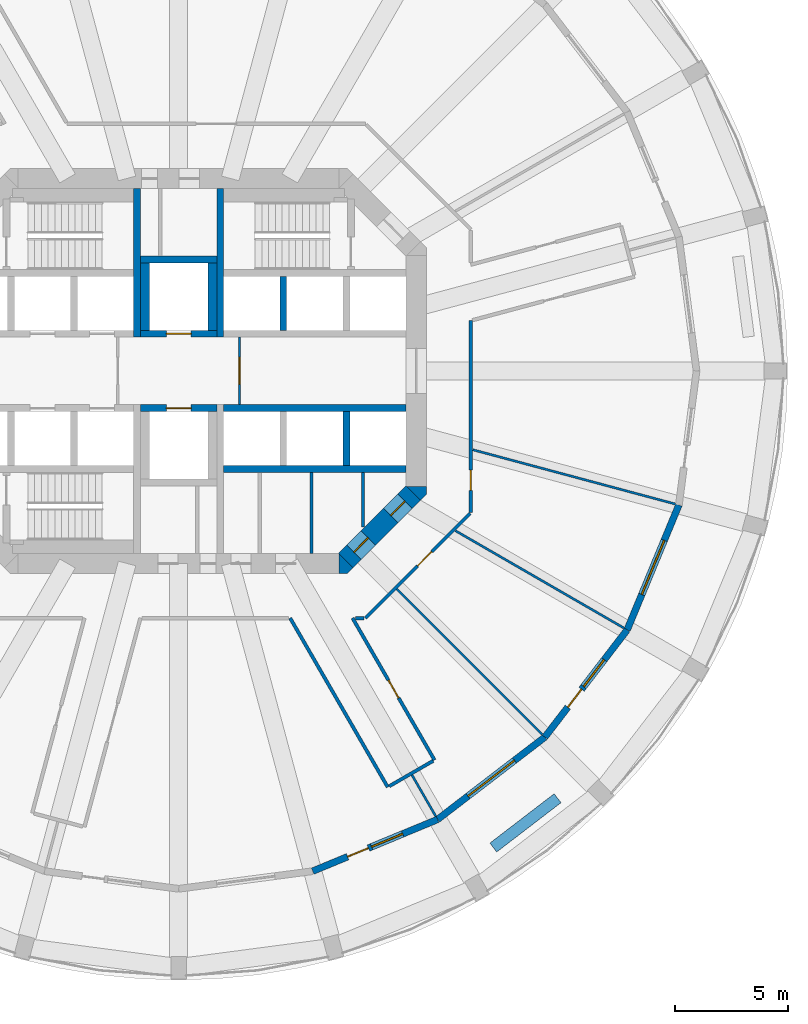
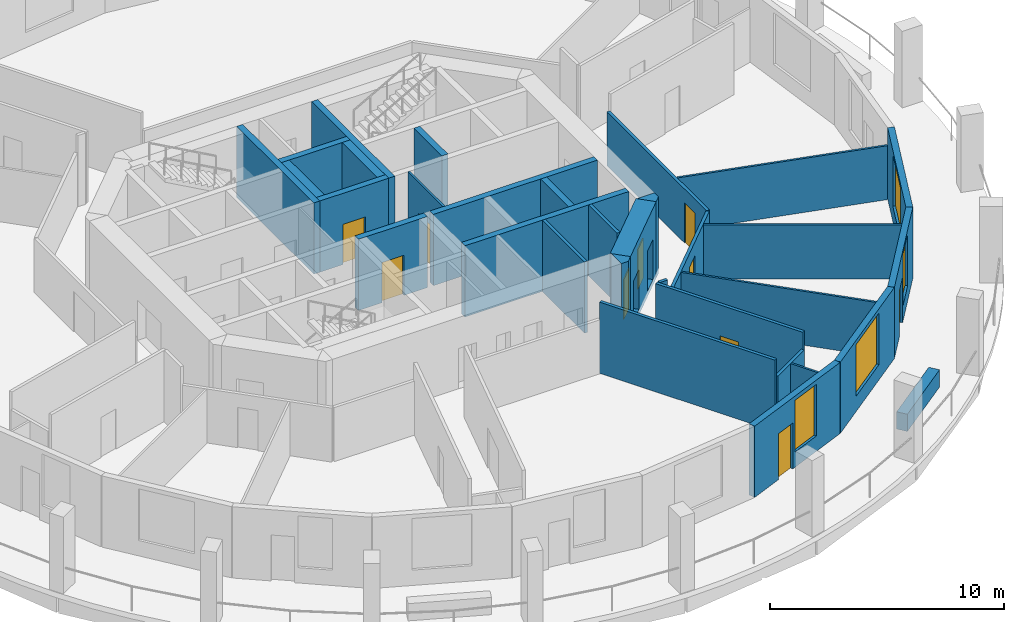
# One storey, part 4 of 9: 32 walls, 10 doors, 4 windows, 14 openings.
"""IFC4 building model written with IfcOpenShell, lengths in metres."""

from ifc_helpers import new_model, si_unit, direction, frame, frame_2d, origin, place, context, subcontext, project, spatial, polyline, rectangle, outline, extrude, material, layer, layer_set, type_object, element, fill, save


model = new_model("IFC4")

# Units and contexts
model_context = context("Model", 3, precision=1e-05, world=origin(), true_north=direction((0.0, 1.0)))
body_context = subcontext(model_context, "Body", "Model", "MODEL_VIEW")
ifc_project = project(units=[si_unit("LENGTHUNIT", "METRE"), si_unit("AREAUNIT", "SQUARE_METRE"), si_unit("VOLUMEUNIT", "CUBIC_METRE"), si_unit("PLANEANGLEUNIT", "RADIAN"), si_unit("MASSUNIT", "GRAM", prefix="KILO")], contexts=[model_context])

# Site, building, storey
site_placement = place(None, origin())
site = spatial("IfcSite", under=ifc_project, at=site_placement, CompositionType="ELEMENT")
building_placement = place(site_placement, origin())
building = spatial("IfcBuilding", under=site, at=building_placement, Name="Torre Triforio", CompositionType="ELEMENT")
storey_placement = place(building_placement, frame((0.0, 0.0, 67.0)))
storey = spatial("IfcBuildingStorey", under=building, at=storey_placement, Name="L14", CompositionType="ELEMENT", Elevation=67.0)

# Walls
ifc_material_1 = material(Name="Concrete C60", Category="concrete")
ifc_layer_1 = layer(ifc_material_1, 0.300048828125)
ifc_layer_set_1 = layer_set([ifc_layer_1], Name="Concrete C60")
wall_type_1 = type_object("IfcWallType", Name="Core wall 300 mm C60 EI 120", PredefinedType="SHEAR", material=ifc_layer_set_1)
for number, where, z_axis, x_axis, name in (
    (1, (-1.85009765625, 1.5, 0.0), (0.0, 0.0, 1.0), (0.0, 1.0, 0.0), "Core wall"),
    (2, (1.85009765625, 1.5, 0.0), (0.0, 0.0, 1.0), (0.0, 1.0, 0.0), "Core wall"),
):
    element("IfcWall", number, at=place(storey_placement, frame(where, z_axis=z_axis, x_axis=x_axis)), inside=storey, type_object=wall_type_1, Name=name, PredefinedType="SHEAR", context=body_context, shape_type="SweptSolid", body=[
        extrude(rectangle(XDim=6.60009765625, YDim=0.300048828125, at=frame_2d((3.300048828125, 0.0))), origin(), (0.0, 0.0, 1.0), 3.719970703125),
    ])

# Wall, openings, doors
ifc_layer_2 = layer(ifc_material_1, 0.89990234375)
ifc_layer_set_2 = layer_set([ifc_layer_2], Name="Concrete C60")
wall_type_2 = type_object("IfcWallType", Name="Core wall 900 mm C60 EI 120", PredefinedType="SHEAR", material=ifc_layer_set_2)
wall_1_placement = place(storey_placement, frame((10.418212890625, -5.418212890625, -0.280029296875), z_axis=(0.0, 0.0, 1.0), x_axis=(-0.707106781187, -0.707106781187, 0.0)))
wall_1 = element("IfcWall", 3, at=wall_1_placement, inside=storey, type_object=wall_type_2, Name="Core wall", PredefinedType="SHEAR", context=body_context, shape_type="SweptSolid", body=[
    extrude(rectangle(XDim=4.24267578125, YDim=0.89990234375, at=frame_2d((2.121337890625, 0.0))), origin(), (0.0, 0.0, 1.0), 4.0),
])
opening_1_placement = place(wall_1_placement, frame((2.82275390625, 0.0, 0.280029296875)))
opening_1 = element("IfcOpeningElement", 4, at=opening_1_placement, cuts=wall_1, Name="Opening SE-03", PredefinedType="OPENING", context=body_context, shape_type="SweptSolid", body=[
    extrude(rectangle(XDim=0.89990234375, YDim=2.10009765625, at=frame_2d((0.449951171875, 1.050048828125))), frame((0.0, 0.4599609375, 0.0), z_axis=(0.0, -1.0, 0.0), x_axis=(1.0, 0.0, 0.0)), (0.0, 0.0, 1.0), 0.919921875),
])
opening_2_placement = place(wall_1_placement, frame((0.52001953125, 0.0, 0.280029296875)))
opening_2 = element("IfcOpeningElement", 5, at=opening_2_placement, cuts=wall_1, Name="Opening SE-04", PredefinedType="OPENING", context=body_context, shape_type="SweptSolid", body=[
    extrude(rectangle(XDim=0.89990234375, YDim=2.10009765625, at=frame_2d((0.449951171875, 1.050048828125))), frame((0.0, 0.4599609375, 0.0), z_axis=(0.0, -1.0, 0.0), x_axis=(1.0, 0.0, 0.0)), (0.0, 0.0, 1.0), 0.919921875),
])
ifc_material_2 = material(Name="Hollow metal fire door leaf")
door_type_1 = type_object("IfcDoorType", Name="Room door 900 x 2100 EI 60", OperationType="NOTDEFINED", PredefinedType="DOOR", material=ifc_material_2)
door_1_placement = place(opening_1_placement, origin())
door_1 = element("IfcDoor", 6, at=door_1_placement, inside=storey, type_object=door_type_1, Name="Core door SE-03", OperationType="SINGLE_SWING_RIGHT", OverallHeight=2.10009765625, OverallWidth=0.89990234375, PredefinedType="DOOR", context=body_context, shape_type="SweptSolid", body=[
    extrude(rectangle(XDim=0.89990234375, YDim=2.10009765625, at=frame_2d((0.449951171875, 1.050048828125))), frame((0.0, 0.02490234375, 0.0), z_axis=(0.0, -1.0, 0.0), x_axis=(1.0, 0.0, 0.0)), (0.0, 0.0, 1.0), 0.050048828125),
])
fill(opening_1, door_1)
door_2_placement = place(opening_2_placement, origin())
door_2 = element("IfcDoor", 7, at=door_2_placement, inside=storey, type_object=door_type_1, Name="Core door SE-04", OperationType="SINGLE_SWING_LEFT", OverallHeight=2.10009765625, OverallWidth=0.89990234375, PredefinedType="DOOR", context=body_context, shape_type="SweptSolid", body=[
    extrude(rectangle(XDim=0.89990234375, YDim=2.10009765625, at=frame_2d((0.449951171875, 1.050048828125))), frame((0.0, 0.02490234375, 0.0), z_axis=(0.0, -1.0, 0.0), x_axis=(1.0, 0.0, 0.0)), (0.0, 0.0, 1.0), 0.050048828125),
])
fill(opening_2, door_2)

# Walls
wall_2_placement = place(storey_placement, frame((0.0, 0.0, -0.280029296875)))
element("IfcWall", 8, at=wall_2_placement, inside=storey, type_object=wall_type_2, Name="Core wall", PredefinedType="SHEAR", context=body_context, shape_type="SweptSolid", body=[
    extrude(outline(polyline([(7.472900390625, -9.0), (7.1298828125, -9.0), (7.1298828125, -8.1298828125), (7.736328125, -8.736328125), (7.472900390625, -9.0)])), origin(), (0.0, 0.0, 1.0), 4.0),
])
wall_3_placement = place(storey_placement, frame((0.0, 0.0, -0.280029296875)))
element("IfcWall", 9, at=wall_3_placement, inside=storey, type_object=wall_type_2, Name="Core wall", PredefinedType="SHEAR", context=body_context, shape_type="SweptSolid", body=[
    extrude(outline(polyline([(11.0, -5.472900390625), (10.736328125, -5.736328125), (10.1298828125, -5.1298828125), (11.0, -5.1298828125), (11.0, -5.472900390625)])), origin(), (0.0, 0.0, 1.0), 4.0),
])

# Wall, opening, door
ifc_material_3 = material(Name="Plasterboard on metal studs")
ifc_layer_3 = layer(ifc_material_3, 0.14990234375)
ifc_layer_set_3 = layer_set([ifc_layer_3], Name="Plasterboard on metal studs")
wall_type_3 = type_object("IfcWallType", Name="Corridor and tenancy wall 150 mm EI 60", PredefinedType="PARTITIONING", material=ifc_layer_set_3)
wall_4_placement = place(storey_placement, frame((12.97509765625, 2.234375, 0.0), z_axis=(0.0, 0.0, 1.0), x_axis=(0.0, -1.0, 0.0)))
wall_4 = element("IfcWall", 10, at=wall_4_placement, inside=storey, type_object=wall_type_3, Name="Partition 15", PredefinedType="PARTITIONING", context=body_context, shape_type="SweptSolid", body=[
    extrude(rectangle(XDim=8.525390625, YDim=0.14990234375, at=frame_2d((4.2626953125, 0.0))), origin(), (0.0, 0.0, 1.0), 2.820068359375),
])
opening_3_placement = place(wall_4_placement, frame((6.64306640625, 0.0, 0.0)))
opening_3 = element("IfcOpeningElement", 11, at=opening_3_placement, cuts=wall_4, Name="Opening N4-08", PredefinedType="OPENING", context=body_context, shape_type="SweptSolid", body=[
    extrude(rectangle(XDim=0.89990234375, YDim=2.10009765625, at=frame_2d((0.449951171875, 1.050048828125))), frame((0.0, 0.0849609375, 0.0), z_axis=(0.0, -1.0, 0.0), x_axis=(1.0, 0.0, 0.0)), (0.0, 0.0, 1.0), 0.169921875),
])
ifc_material_4 = material(Name="Timber", Category="wood")
door_type_2 = type_object("IfcDoorType", Name="Door 900 x 2100 single leaf EI 30", OperationType="NOTDEFINED", PredefinedType="DOOR", material=ifc_material_4)
door_3_placement = place(opening_3_placement, origin())
door_3 = element("IfcDoor", 12, at=door_3_placement, inside=storey, type_object=door_type_2, Name="Door N4-08", OperationType="SINGLE_SWING_LEFT", OverallHeight=2.10009765625, OverallWidth=0.89990234375, PredefinedType="DOOR", context=body_context, shape_type="SweptSolid", body=[
    extrude(rectangle(XDim=0.89990234375, YDim=2.10009765625, at=frame_2d((0.449951171875, 1.050048828125))), frame((0.0, 0.02490234375, 0.0), z_axis=(0.0, -1.0, 0.0), x_axis=(1.0, 0.0, 0.0)), (0.0, 0.0, 1.0), 0.050048828125),
])
fill(opening_3, door_3)

wall_5_placement = place(storey_placement, frame((12.93798828125, -6.327880859375, 0.0), z_axis=(0.0, 0.0, 1.0), x_axis=(-0.707088206597, -0.707125355289, 0.0)))
wall_5 = element("IfcWall", 13, at=wall_5_placement, inside=storey, type_object=wall_type_3, Name="Partition 16", PredefinedType="PARTITIONING", context=body_context, shape_type="SweptSolid", body=[
    extrude(rectangle(XDim=6.572021484375, YDim=0.14990234375, at=frame_2d((3.2861328125, 0.0))), origin(), (0.0, 0.0, 1.0), 2.820068359375),
])
opening_4_placement = place(wall_5_placement, frame((2.39794921875, 0.0, 0.0)))
opening_4 = element("IfcOpeningElement", 14, at=opening_4_placement, cuts=wall_5, Name="Opening N4-07", PredefinedType="OPENING", context=body_context, shape_type="SweptSolid", body=[
    extrude(rectangle(XDim=0.89990234375, YDim=2.10009765625, at=frame_2d((0.449951171875, 1.050048828125))), frame((0.0, 0.0849609375, 0.0), z_axis=(0.0, -1.0, 0.0), x_axis=(1.0, 0.0, 0.0)), (0.0, 0.0, 1.0), 0.169921875),
])
door_4_placement = place(opening_4_placement, origin())
door_4 = element("IfcDoor", 15, at=door_4_placement, inside=storey, type_object=door_type_2, Name="Door N4-07", OperationType="SINGLE_SWING_LEFT", OverallHeight=2.10009765625, OverallWidth=0.89990234375, PredefinedType="DOOR", context=body_context, shape_type="SweptSolid", body=[
    extrude(rectangle(XDim=0.89990234375, YDim=2.10009765625, at=frame_2d((0.449951171875, 1.050048828125))), frame((0.0, 0.02490234375, 0.0), z_axis=(0.0, -1.0, 0.0), x_axis=(1.0, 0.0, 0.0)), (0.0, 0.0, 1.0), 0.050048828125),
])
fill(opening_4, door_4)

# Wall
wall_6_placement = place(storey_placement, frame((8.23828125, -10.97509765625, 0.0), z_axis=(0.0, 0.0, 1.0), x_axis=(-1.0, 0.0, 0.0)))
element("IfcWall", 16, at=wall_6_placement, inside=storey, type_object=wall_type_3, Name="Partition 17", PredefinedType="PARTITIONING", context=body_context, shape_type="SweptSolid", body=[
    extrude(rectangle(XDim=0.38623046875, YDim=0.14990234375, at=frame_2d((0.193115234375, 0.0))), origin(), (0.0, 0.0, 1.0), 3.719970703125),
])

# Wall, opening, door
wall_7_placement = place(storey_placement, frame((7.72216796875, -10.97509765625, 0.0), z_axis=(0.0, 0.0, 1.0), x_axis=(0.499993290699, -0.866029277366, 0.0)))
wall_7 = element("IfcWall", 17, at=wall_7_placement, inside=storey, type_object=wall_type_3, Name="Partition 18", PredefinedType="PARTITIONING", context=body_context, shape_type="SweptSolid", body=[
    extrude(rectangle(XDim=7.28271484375, YDim=0.14990234375, at=frame_2d((3.641357421875, 0.0))), origin(), (0.0, 0.0, 1.0), 3.719970703125),
])
opening_5_placement = place(wall_7_placement, frame((3.19140625, 0.0, 0.0)))
opening_5 = element("IfcOpeningElement", 18, at=opening_5_placement, cuts=wall_7, Name="Opening N4-06", PredefinedType="OPENING", context=body_context, shape_type="SweptSolid", body=[
    extrude(rectangle(XDim=0.89990234375, YDim=2.10009765625, at=frame_2d((0.449951171875, 1.050048828125))), frame((0.0, 0.0849609375, 0.0), z_axis=(0.0, -1.0, 0.0), x_axis=(1.0, 0.0, 0.0)), (0.0, 0.0, 1.0), 0.169921875),
])
door_5_placement = place(opening_5_placement, origin())
door_5 = element("IfcDoor", 19, at=door_5_placement, inside=storey, type_object=door_type_2, Name="Door N4-06", OperationType="SINGLE_SWING_LEFT", OverallHeight=2.10009765625, OverallWidth=0.89990234375, PredefinedType="DOOR", context=body_context, shape_type="SweptSolid", body=[
    extrude(rectangle(XDim=0.89990234375, YDim=2.10009765625, at=frame_2d((0.449951171875, 1.050048828125))), frame((0.0, 0.02490234375, 0.0), z_axis=(0.0, -1.0, 0.0), x_axis=(1.0, 0.0, 0.0)), (0.0, 0.0, 1.0), 0.050048828125),
])
fill(opening_5, door_5)

# Walls
wall_8_placement = place(storey_placement, frame((11.298583984375, -17.31982421875, 0.0), z_axis=(0.0, 0.0, 1.0), x_axis=(-0.866017533419, -0.500013631625, 0.0)))
element("IfcWall", 20, at=wall_8_placement, inside=storey, type_object=wall_type_3, Name="Partition 19", PredefinedType="PARTITIONING", context=body_context, shape_type="SweptSolid", body=[
    extrude(rectangle(XDim=2.25, YDim=0.14990234375, at=frame_2d((1.125, 0.0))), origin(), (0.0, 0.0, 1.0), 2.820068359375),
])
wall_9_placement = place(storey_placement, frame((9.28515625, -18.482421875, 0.0), z_axis=(0.0, 0.0, 1.0), x_axis=(-0.500010122307, 0.866019559589, 0.0)))
element("IfcWall", 21, at=wall_9_placement, inside=storey, type_object=wall_type_3, Name="Partition 20", PredefinedType="PARTITIONING", context=body_context, shape_type="SweptSolid", body=[
    extrude(rectangle(XDim=8.668701171875, YDim=0.14990234375, at=frame_2d((4.33447265625, 0.0))), origin(), (0.0, 0.0, 1.0), 3.719970703125),
])

# Wall, opening, door
ifc_material_5 = material(Name="Block and board partition")
ifc_layer_4 = layer(ifc_material_5, 0.10009765625)
ifc_layer_set_4 = layer_set([ifc_layer_4], Name="Block and board partition")
wall_type_4 = type_object("IfcWallType", Name="Partition 100 mm EI 120", PredefinedType="PARTITIONING", material=ifc_layer_set_4)
wall_10_placement = place(storey_placement, frame((2.699951171875, -1.5, 0.0), z_axis=(0.0, 0.0, 1.0), x_axis=(0.0, 1.0, 0.0)))
wall_10 = element("IfcWall", 22, at=wall_10_placement, inside=storey, type_object=wall_type_4, Name="Partition", PredefinedType="PARTITIONING", context=body_context, shape_type="SweptSolid", body=[
    extrude(rectangle(XDim=3.0, YDim=0.10009765625, at=frame_2d((1.5, 0.0))), origin(), (0.0, 0.0, 1.0), 3.719970703125),
])
opening_6_placement = place(wall_10_placement, frame((0.89990234375, 0.0, 0.0)))
opening_6 = element("IfcOpeningElement", 23, at=opening_6_placement, cuts=wall_10, Name="Opening FF-E", PredefinedType="OPENING", context=body_context, shape_type="SweptSolid", body=[
    extrude(rectangle(XDim=1.199951171875, YDim=2.10009765625, at=frame_2d((0.60009765625, 1.050048828125))), frame((0.0, 0.06005859375, 0.0), z_axis=(0.0, -1.0, 0.0), x_axis=(1.0, 0.0, 0.0)), (0.0, 0.0, 1.0), 0.1201171875),
])
door_type_3 = type_object("IfcDoorType", Name="Fire-fighting lobby door 1200 x 2100 EI 60", OperationType="NOTDEFINED", PredefinedType="DOOR", material=ifc_material_2)
door_6_placement = place(opening_6_placement, origin())
door_6 = element("IfcDoor", 24, at=door_6_placement, inside=storey, type_object=door_type_3, Name="Core door FF-E", OperationType="SINGLE_SWING_RIGHT", OverallHeight=2.10009765625, OverallWidth=1.199951171875, PredefinedType="DOOR", context=body_context, shape_type="SweptSolid", body=[
    extrude(rectangle(XDim=1.199951171875, YDim=2.10009765625, at=frame_2d((0.60009765625, 1.050048828125))), frame((0.0, 0.02490234375, 0.0), z_axis=(0.0, -1.0, 0.0), x_axis=(1.0, 0.0, 0.0)), (0.0, 0.0, 1.0), 0.050048828125),
])
fill(opening_6, door_6)

# Walls
ifc_layer_5 = layer(ifc_material_3, 0.10009765625)
ifc_layer_set_5 = layer_set([ifc_layer_5], Name="Plasterboard on metal studs")
wall_type_5 = type_object("IfcWallType", Name="Partition 100 mm board on metal studs", PredefinedType="PARTITIONING", material=ifc_layer_set_5)
wall_11_placement = place(storey_placement, frame((10.36181640625, -17.947265625, 0.0), z_axis=(0.0, 0.0, 1.0), x_axis=(0.500065834316, -0.865987390988, 0.0)))
element("IfcWall", 25, at=wall_11_placement, inside=storey, type_object=wall_type_5, Name="Partition 37", PredefinedType="PARTITIONING", context=body_context, shape_type="SweptSolid", body=[
    extrude(rectangle(XDim=2.113037109375, YDim=0.10009765625, at=frame_2d((1.056640625, 0.0))), origin(), (0.0, 0.0, 1.0), 2.820068359375),
])
wall_12_placement = place(storey_placement, frame((9.68603515625, -9.68603515625, 0.0), z_axis=(0.0, 0.0, 1.0), x_axis=(0.707106781187, -0.707106781187, 0.0)))
element("IfcWall", 26, at=wall_12_placement, inside=storey, type_object=wall_type_5, Name="Partition 38", PredefinedType="PARTITIONING", context=body_context, shape_type="SweptSolid", body=[
    extrude(rectangle(XDim=9.138427734375, YDim=0.10009765625, at=frame_2d((4.5693359375, 0.0))), origin(), (0.0, 0.0, 1.0), 2.820068359375),
])
wall_13_placement = place(storey_placement, frame((12.294189453125, -7.097900390625, 0.0), z_axis=(0.0, 0.0, 1.0), x_axis=(0.866010547425, -0.500025731086, 0.0)))
element("IfcWall", 27, at=wall_13_placement, inside=storey, type_object=wall_type_5, Name="Partition 39", PredefinedType="PARTITIONING", context=body_context, shape_type="SweptSolid", body=[
    extrude(rectangle(XDim=8.640625, YDim=0.10009765625, at=frame_2d((4.3203125, 0.0))), origin(), (0.0, 0.0, 1.0), 2.820068359375),
])
wall_14_placement = place(storey_placement, frame((13.064208984375, -3.50048828125, 0.0), z_axis=(0.0, 0.0, 1.0), x_axis=(0.965922655056, -0.258830880017, 0.0)))
element("IfcWall", 28, at=wall_14_placement, inside=storey, type_object=wall_type_5, Name="Partition 40", PredefinedType="PARTITIONING", context=body_context, shape_type="SweptSolid", body=[
    extrude(rectangle(XDim=9.311767578125, YDim=0.10009765625, at=frame_2d((4.65576171875, 0.0))), origin(), (0.0, 0.0, 1.0), 2.820068359375),
])
ifc_layer_6 = layer(ifc_material_5, 0.14990234375)
ifc_layer_set_6 = layer_set([ifc_layer_6], Name="Block and board partition")
wall_type_6 = type_object("IfcWallType", Name="Partition 150 mm", PredefinedType="PARTITIONING", material=ifc_layer_set_6)
wall_15_placement = place(storey_placement, frame((5.89697265625, -8.10009765625, 0.0), z_axis=(0.0, 0.0, 1.0), x_axis=(0.0, 1.0, 0.0)))
element("IfcWall", 29, at=wall_15_placement, inside=storey, type_object=wall_type_6, Name="Partition", PredefinedType="PARTITIONING", context=body_context, shape_type="SweptSolid", body=[
    extrude(rectangle(XDim=3.60009765625, YDim=0.14990234375, at=frame_2d((1.800048828125, 0.0))), origin(), (0.0, 0.0, 1.0), 3.719970703125),
])
wall_16_placement = place(storey_placement, frame((8.18896484375, -6.93603515625, 0.0), z_axis=(0.0, 0.0, 1.0), x_axis=(0.0, 1.0, 0.0)))
element("IfcWall", 30, at=wall_16_placement, inside=storey, type_object=wall_type_6, Name="Partition", PredefinedType="PARTITIONING", context=body_context, shape_type="SweptSolid", body=[
    extrude(rectangle(XDim=2.43603515625, YDim=0.14990234375, at=frame_2d((1.218017578125, 0.0))), origin(), (0.0, 0.0, 1.0), 3.719970703125),
])
ifc_material_6 = material(Name="Limestone cladding", Category="masonry")
ifc_layer_7 = layer(ifc_material_6, 0.10009765625)
ifc_material_7 = material(Name="Concrete C40", Category="concrete")
ifc_layer_8 = layer(ifc_material_7, 0.39990234375)
ifc_layer_set_7 = layer_set([ifc_layer_7, ifc_layer_8], Name="Limestone cladding / Concrete C40")
wall_type_7 = type_object("IfcWallType", Name="Planter wall 500", PredefinedType="PARAPET", material=ifc_layer_set_7)
wall_17_placement = place(storey_placement, frame((13.9736328125, -21.16748046875, 0.0), z_axis=(0.0, 0.0, 1.0), x_axis=(0.793359599829, 0.608753271334, 0.0)))
element("IfcWall", 31, at=wall_17_placement, inside=storey, type_object=wall_type_7, Name="Planter L14 bay 21", PredefinedType="PARAPET", context=body_context, shape_type="SweptSolid", body=[
    extrude(rectangle(XDim=3.599853515625, YDim=0.5, at=frame_2d((1.7998046875, 0.0))), origin(), (0.0, 0.0, 1.0), 0.89990234375),
])
ifc_layer_9 = layer(ifc_material_1, 0.300048828125)
ifc_layer_set_8 = layer_set([ifc_layer_9], Name="Concrete C60")
wall_type_8 = type_object("IfcWallType", Name="Shaft wall 300 mm C60 EI 120", PredefinedType="SOLIDWALL", material=ifc_layer_set_8)
for number, where, z_axis, x_axis, name in (
    (32, (2.0, -4.35009765625, 0.0), (0.0, 0.0, 1.0), (1.0, 0.0, 0.0), "Shaft wall"),
    (33, (2.0, -1.64990234375, 0.0), (0.0, 0.0, 1.0), (1.0, 0.0, 0.0), "Shaft wall"),
):
    element("IfcWall", number, at=place(storey_placement, frame(where, z_axis=z_axis, x_axis=x_axis)), inside=storey, type_object=wall_type_8, Name=name, PredefinedType="SOLIDWALL", context=body_context, shape_type="SweptSolid", body=[
        extrude(rectangle(XDim=8.10009765625, YDim=0.300048828125, at=frame_2d((4.050048828125, 0.0))), origin(), (0.0, 0.0, 1.0), 3.719970703125),
    ])
for number, where, z_axis, x_axis, name in (
    (34, (4.64990234375, 1.800048828125, 0.0), (0.0, 0.0, 1.0), (0.0, 1.0, 0.0), "Shaft wall"),
    (35, (7.449951171875, -4.199951171875, 0.0), (0.0, 0.0, 1.0), (0.0, 1.0, 0.0), "Shaft wall"),
):
    element("IfcWall", number, at=place(storey_placement, frame(where, z_axis=z_axis, x_axis=x_axis)), inside=storey, type_object=wall_type_8, Name=name, PredefinedType="SOLIDWALL", context=body_context, shape_type="SweptSolid", body=[
        extrude(rectangle(XDim=2.39990234375, YDim=0.300048828125, at=frame_2d((1.199951171875, 0.0))), origin(), (0.0, 0.0, 1.0), 3.719970703125),
    ])

# Wall, opening, door
wall_18_placement = place(storey_placement, frame((-1.699951171875, 1.64990234375, 0.0), z_axis=(0.0, 0.0, 1.0), x_axis=(1.0, 0.0, 0.0)))
wall_18 = element("IfcWall", 36, at=wall_18_placement, inside=storey, type_object=wall_type_8, Name="Shaft wall", PredefinedType="SOLIDWALL", context=body_context, shape_type="SweptSolid", body=[
    extrude(rectangle(XDim=3.39990234375, YDim=0.300048828125, at=frame_2d((1.699951171875, 0.0))), origin(), (0.0, 0.0, 1.0), 3.719970703125),
])
opening_7_placement = place(wall_18_placement, frame((1.14990234375, 0.0, 0.0)))
opening_7 = element("IfcOpeningElement", 37, at=opening_7_placement, cuts=wall_18, Name="Opening LD", PredefinedType="OPENING", context=body_context, shape_type="SweptSolid", body=[
    extrude(rectangle(XDim=1.10009765625, YDim=2.10009765625, at=frame_2d((0.550048828125, 1.050048828125))), frame((0.0, 0.159912109375, 0.0), z_axis=(0.0, -1.0, 0.0), x_axis=(1.0, 0.0, 0.0)), (0.0, 0.0, 1.0), 0.320068359375),
])
door_type_4 = type_object("IfcDoorType", Name="Landing door 1100 x 2100 EI 60", OperationType="DOUBLE_DOOR_SLIDING", PredefinedType="DOOR", material=ifc_material_2)
door_7_placement = place(opening_7_placement, origin())
door_7 = element("IfcDoor", 38, at=door_7_placement, inside=storey, type_object=door_type_4, Name="Landing door FFL1", OperationType="DOUBLE_DOOR_SLIDING", OverallHeight=2.10009765625, OverallWidth=1.10009765625, PredefinedType="DOOR", context=body_context, shape_type="SweptSolid", body=[
    extrude(rectangle(XDim=1.10009765625, YDim=2.10009765625, at=frame_2d((0.550048828125, 1.050048828125))), frame((0.0, 0.02490234375, 0.0), z_axis=(0.0, -1.0, 0.0), x_axis=(1.0, 0.0, 0.0)), (0.0, 0.0, 1.0), 0.050048828125),
])
fill(opening_7, door_7)

wall_19_placement = place(storey_placement, frame((-1.699951171875, -1.64990234375, 0.0), z_axis=(0.0, 0.0, 1.0), x_axis=(1.0, 0.0, 0.0)))
wall_19 = element("IfcWall", 39, at=wall_19_placement, inside=storey, type_object=wall_type_8, Name="Shaft wall", PredefinedType="SOLIDWALL", context=body_context, shape_type="SweptSolid", body=[
    extrude(rectangle(XDim=3.39990234375, YDim=0.300048828125, at=frame_2d((1.699951171875, 0.0))), origin(), (0.0, 0.0, 1.0), 3.719970703125),
])
opening_8_placement = place(wall_19_placement, frame((1.14990234375, 0.0, 0.0)))
opening_8 = element("IfcOpeningElement", 40, at=opening_8_placement, cuts=wall_19, Name="Opening LD", PredefinedType="OPENING", context=body_context, shape_type="SweptSolid", body=[
    extrude(rectangle(XDim=1.10009765625, YDim=2.10009765625, at=frame_2d((0.550048828125, 1.050048828125))), frame((0.0, 0.159912109375, 0.0), z_axis=(0.0, -1.0, 0.0), x_axis=(1.0, 0.0, 0.0)), (0.0, 0.0, 1.0), 0.320068359375),
])
door_8_placement = place(opening_8_placement, origin())
door_8 = element("IfcDoor", 41, at=door_8_placement, inside=storey, type_object=door_type_4, Name="Landing door FFL2", OperationType="DOUBLE_DOOR_SLIDING", OverallHeight=2.10009765625, OverallWidth=1.10009765625, PredefinedType="DOOR", context=body_context, shape_type="SweptSolid", body=[
    extrude(rectangle(XDim=1.10009765625, YDim=2.10009765625, at=frame_2d((0.550048828125, 1.050048828125))), frame((0.0, 0.02490234375, 0.0), z_axis=(0.0, -1.0, 0.0), x_axis=(1.0, 0.0, 0.0)), (0.0, 0.0, 1.0), 0.050048828125),
])
fill(opening_8, door_8)

# Walls
wall_20_placement = place(storey_placement, frame((-1.699951171875, 4.949951171875, 0.0), z_axis=(0.0, 0.0, 1.0), x_axis=(1.0, 0.0, 0.0)))
element("IfcWall", 42, at=wall_20_placement, inside=storey, type_object=wall_type_8, Name="Shaft wall", PredefinedType="SOLIDWALL", context=body_context, shape_type="SweptSolid", body=[
    extrude(rectangle(XDim=3.39990234375, YDim=0.300048828125, at=frame_2d((1.699951171875, 0.0))), origin(), (0.0, 0.0, 1.0), 3.719970703125),
])
ifc_layer_10 = layer(ifc_material_1, 0.39990234375)
ifc_layer_set_9 = layer_set([ifc_layer_10], Name="Concrete C60")
wall_type_9 = type_object("IfcWallType", Name="Shaft wall 400 mm C60 EI 120", PredefinedType="SOLIDWALL", material=ifc_layer_set_9)
for number, where, z_axis, x_axis, name in (
    (43, (-1.5, 1.800048828125, 0.0), (0.0, 0.0, 1.0), (0.0, 1.0, 0.0), "Shaft wall"),
    (44, (1.5, 1.800048828125, 0.0), (0.0, 0.0, 1.0), (0.0, 1.0, 0.0), "Shaft wall"),
):
    element("IfcWall", number, at=place(storey_placement, frame(where, z_axis=z_axis, x_axis=x_axis)), inside=storey, type_object=wall_type_9, Name=name, PredefinedType="SOLIDWALL", context=body_context, shape_type="SweptSolid", body=[
        extrude(rectangle(XDim=3.0, YDim=0.39990234375, at=frame_2d((1.5, 0.0))), origin(), (0.0, 0.0, 1.0), 3.719970703125),
    ])

# Wall, openings, door, window
ifc_layer_11 = layer(ifc_material_6, 0.10009765625)
ifc_layer_12 = layer(ifc_material_7, 0.199951171875)
ifc_layer_set_10 = layer_set([ifc_layer_11, ifc_layer_12], Name="Limestone cladding / Concrete C40")
wall_type_10 = type_object("IfcWallType", Name="Stone-faced composite wall 300", PredefinedType="STANDARD", material=ifc_layer_set_10)
wall_21_placement = place(storey_placement, frame((5.952880859375, -22.21630859375, 0.0), z_axis=(0.0, 0.0, 1.0), x_axis=(0.923884511653, 0.382671411433, 0.0)))
wall_21 = element("IfcWall", 45, at=wall_21_placement, inside=storey, type_object=wall_type_10, Name="External wall L14 bay 20", PredefinedType="STANDARD", context=body_context, shape_type="SweptSolid", body=[
    extrude(rectangle(XDim=6.004150390625, YDim=0.300048828125, at=frame_2d((3.001953125, 0.0))), origin(), (0.0, 0.0, 1.0), 3.719970703125),
])
opening_9_placement = place(wall_21_placement, frame((1.677001953125, 0.0, 0.0)))
opening_9 = element("IfcOpeningElement", 46, at=opening_9_placement, cuts=wall_21, Name="Opening N4-D20", PredefinedType="OPENING", context=body_context, shape_type="SweptSolid", body=[
    extrude(rectangle(XDim=1.0, YDim=2.39990234375, at=frame_2d((0.5, 1.199951171875))), frame((0.0, 0.159912109375, 0.0), z_axis=(0.0, -1.0, 0.0), x_axis=(1.0, 0.0, 0.0)), (0.0, 0.0, 1.0), 0.320068359375),
])
opening_10_placement = place(wall_21_placement, frame((2.8271484375, 0.0, 0.800048828125)))
opening_10 = element("IfcOpeningElement", 47, at=opening_10_placement, cuts=wall_21, Name="Opening N4-W20A", PredefinedType="OPENING", context=body_context, shape_type="SweptSolid", body=[
    extrude(rectangle(XDim=1.5, YDim=2.699951171875, at=frame_2d((0.75, 1.35009765625))), frame((0.0, 0.159912109375, 0.0), z_axis=(0.0, -1.0, 0.0), x_axis=(1.0, 0.0, 0.0)), (0.0, 0.0, 1.0), 0.320068359375),
])
ifc_material_8 = material(Name="Aluminium frame with clear double glazing", Category="aluminium")
door_type_5 = type_object("IfcDoorType", Name="Loggia door 1000 x 2400", OperationType="NOTDEFINED", PredefinedType="DOOR", material=ifc_material_8)
door_9_placement = place(opening_9_placement, origin())
door_9 = element("IfcDoor", 48, at=door_9_placement, inside=storey, type_object=door_type_5, Name="Loggia door L14 bay 20", OperationType="SINGLE_SWING_LEFT", OverallHeight=2.39990234375, OverallWidth=1.0, PredefinedType="DOOR", context=body_context, shape_type="SweptSolid", body=[
    extrude(rectangle(XDim=1.0, YDim=2.39990234375, at=frame_2d((0.5, 1.199951171875))), frame((0.0, 0.02490234375, 0.0), z_axis=(0.0, -1.0, 0.0), x_axis=(1.0, 0.0, 0.0)), (0.0, 0.0, 1.0), 0.050048828125),
])
fill(opening_9, door_9)
window_type_1 = type_object("IfcWindowType", Name="Side window 1500 x 2700", PartitioningType="SINGLE_PANEL", PredefinedType="WINDOW", material=ifc_material_8)
window_1_placement = place(opening_10_placement, origin())
window_1 = element("IfcWindow", 49, at=window_1_placement, inside=storey, type_object=window_type_1, Name="Side window EWN12 L14 bay 20", OverallHeight=2.699951171875, OverallWidth=1.5, PartitioningType="SINGLE_PANEL", PredefinedType="WINDOW", context=body_context, shape_type="SweptSolid", body=[
    extrude(rectangle(XDim=1.5, YDim=2.699951171875, at=frame_2d((0.75, 1.35009765625))), frame((0.0, 0.030029296875, 0.0), z_axis=(0.0, -1.0, 0.0), x_axis=(1.0, 0.0, 0.0)), (0.0, 0.0, 1.0), 0.06005859375),
])
fill(opening_10, window_1)

# Wall, opening, window
wall_22_placement = place(storey_placement, frame((11.5, -19.918701171875, 0.0), z_axis=(0.0, 0.0, 1.0), x_axis=(0.793339924758, 0.608778912074, 0.0)))
wall_22 = element("IfcWall", 50, at=wall_22_placement, inside=storey, type_object=wall_type_10, Name="External wall L14 bay 21", PredefinedType="STANDARD", context=body_context, shape_type="SweptSolid", body=[
    extrude(rectangle(XDim=6.004150390625, YDim=0.300048828125, at=frame_2d((3.001953125, 0.0))), origin(), (0.0, 0.0, 1.0), 3.719970703125),
])
opening_11_placement = place(wall_22_placement, frame((1.7021484375, 0.0, 0.800048828125)))
opening_11 = element("IfcOpeningElement", 51, at=opening_11_placement, cuts=wall_22, Name="Opening N4-W21", PredefinedType="OPENING", context=body_context, shape_type="SweptSolid", body=[
    extrude(rectangle(XDim=2.60009765625, YDim=2.699951171875, at=frame_2d((1.300048828125, 1.35009765625))), frame((0.0, 0.159912109375, 0.0), z_axis=(0.0, -1.0, 0.0), x_axis=(1.0, 0.0, 0.0)), (0.0, 0.0, 1.0), 0.320068359375),
])
window_type_2 = type_object("IfcWindowType", Name="Punched window 2600 x 2700", PartitioningType="DOUBLE_PANEL_VERTICAL", PredefinedType="WINDOW", material=ifc_material_8)
window_2_placement = place(opening_11_placement, origin())
window_2 = element("IfcWindow", 52, at=window_2_placement, inside=storey, type_object=window_type_2, Name="Window EWN2 L14 bay 21", OverallHeight=2.699951171875, OverallWidth=2.60009765625, PartitioningType="SINGLE_PANEL", PredefinedType="WINDOW", context=body_context, shape_type="SweptSolid", body=[
    extrude(rectangle(XDim=2.60009765625, YDim=2.699951171875, at=frame_2d((1.300048828125, 1.35009765625))), frame((0.0, 0.030029296875, 0.0), z_axis=(0.0, -1.0, 0.0), x_axis=(1.0, 0.0, 0.0)), (0.0, 0.0, 1.0), 0.06005859375),
])
fill(opening_11, window_2)

# Wall, openings, door, window
wall_23_placement = place(storey_placement, frame((16.263427734375, -16.263427734375, 0.0), z_axis=(0.0, 0.0, 1.0), x_axis=(0.608778912074, 0.793339924758, 0.0)))
wall_23 = element("IfcWall", 53, at=wall_23_placement, inside=storey, type_object=wall_type_10, Name="External wall L14 bay 22", PredefinedType="STANDARD", context=body_context, shape_type="SweptSolid", body=[
    extrude(rectangle(XDim=6.004150390625, YDim=0.300048828125, at=frame_2d((3.001953125, 0.0))), origin(), (0.0, 0.0, 1.0), 3.719970703125),
])
opening_12_placement = place(wall_23_placement, frame((1.677001953125, 0.0, 0.0)))
opening_12 = element("IfcOpeningElement", 54, at=opening_12_placement, cuts=wall_23, Name="Opening N4-D22", PredefinedType="OPENING", context=body_context, shape_type="SweptSolid", body=[
    extrude(rectangle(XDim=1.0, YDim=2.39990234375, at=frame_2d((0.5, 1.199951171875))), frame((0.0, 0.159912109375, 0.0), z_axis=(0.0, -1.0, 0.0), x_axis=(1.0, 0.0, 0.0)), (0.0, 0.0, 1.0), 0.320068359375),
])
opening_13_placement = place(wall_23_placement, frame((2.8271484375, 0.0, 0.800048828125)))
opening_13 = element("IfcOpeningElement", 55, at=opening_13_placement, cuts=wall_23, Name="Opening N4-W22A", PredefinedType="OPENING", context=body_context, shape_type="SweptSolid", body=[
    extrude(rectangle(XDim=1.5, YDim=2.699951171875, at=frame_2d((0.75, 1.35009765625))), frame((0.0, 0.159912109375, 0.0), z_axis=(0.0, -1.0, 0.0), x_axis=(1.0, 0.0, 0.0)), (0.0, 0.0, 1.0), 0.320068359375),
])
door_10_placement = place(opening_12_placement, origin())
door_10 = element("IfcDoor", 56, at=door_10_placement, inside=storey, type_object=door_type_5, Name="Loggia door L14 bay 22", OperationType="SINGLE_SWING_LEFT", OverallHeight=2.39990234375, OverallWidth=1.0, PredefinedType="DOOR", context=body_context, shape_type="SweptSolid", body=[
    extrude(rectangle(XDim=1.0, YDim=2.39990234375, at=frame_2d((0.5, 1.199951171875))), frame((0.0, 0.02490234375, 0.0), z_axis=(0.0, -1.0, 0.0), x_axis=(1.0, 0.0, 0.0)), (0.0, 0.0, 1.0), 0.050048828125),
])
fill(opening_12, door_10)
window_3_placement = place(opening_13_placement, origin())
window_3 = element("IfcWindow", 57, at=window_3_placement, inside=storey, type_object=window_type_1, Name="Side window EWN12 L14 bay 22", OverallHeight=2.699951171875, OverallWidth=1.5, PartitioningType="SINGLE_PANEL", PredefinedType="WINDOW", context=body_context, shape_type="SweptSolid", body=[
    extrude(rectangle(XDim=1.5, YDim=2.699951171875, at=frame_2d((0.75, 1.35009765625))), frame((0.0, 0.030029296875, 0.0), z_axis=(0.0, -1.0, 0.0), x_axis=(1.0, 0.0, 0.0)), (0.0, 0.0, 1.0), 0.06005859375),
])
fill(opening_13, window_3)

# Wall, opening, window
wall_24_placement = place(storey_placement, frame((19.918701171875, -11.5, 0.0), z_axis=(0.0, 0.0, 1.0), x_axis=(0.382671411433, 0.923884511653, 0.0)))
wall_24 = element("IfcWall", 58, at=wall_24_placement, inside=storey, type_object=wall_type_10, Name="External wall L14 bay 23", PredefinedType="STANDARD", context=body_context, shape_type="SweptSolid", body=[
    extrude(rectangle(XDim=6.004150390625, YDim=0.300048828125, at=frame_2d((3.001953125, 0.0))), origin(), (0.0, 0.0, 1.0), 3.719970703125),
])
opening_14_placement = place(wall_24_placement, frame((1.7021484375, 0.0, 0.800048828125)))
opening_14 = element("IfcOpeningElement", 59, at=opening_14_placement, cuts=wall_24, Name="Opening N4-W23", PredefinedType="OPENING", context=body_context, shape_type="SweptSolid", body=[
    extrude(rectangle(XDim=2.60009765625, YDim=2.699951171875, at=frame_2d((1.300048828125, 1.35009765625))), frame((0.0, 0.159912109375, 0.0), z_axis=(0.0, -1.0, 0.0), x_axis=(1.0, 0.0, 0.0)), (0.0, 0.0, 1.0), 0.320068359375),
])
window_4_placement = place(opening_14_placement, origin())
window_4 = element("IfcWindow", 60, at=window_4_placement, inside=storey, type_object=window_type_2, Name="Window EWN2 L14 bay 23", OverallHeight=2.699951171875, OverallWidth=2.60009765625, PartitioningType="SINGLE_PANEL", PredefinedType="WINDOW", context=body_context, shape_type="SweptSolid", body=[
    extrude(rectangle(XDim=2.60009765625, YDim=2.699951171875, at=frame_2d((1.300048828125, 1.35009765625))), frame((0.0, 0.030029296875, 0.0), z_axis=(0.0, -1.0, 0.0), x_axis=(1.0, 0.0, 0.0)), (0.0, 0.0, 1.0), 0.06005859375),
])
fill(opening_14, window_4)

save(model, "model.ifc")
